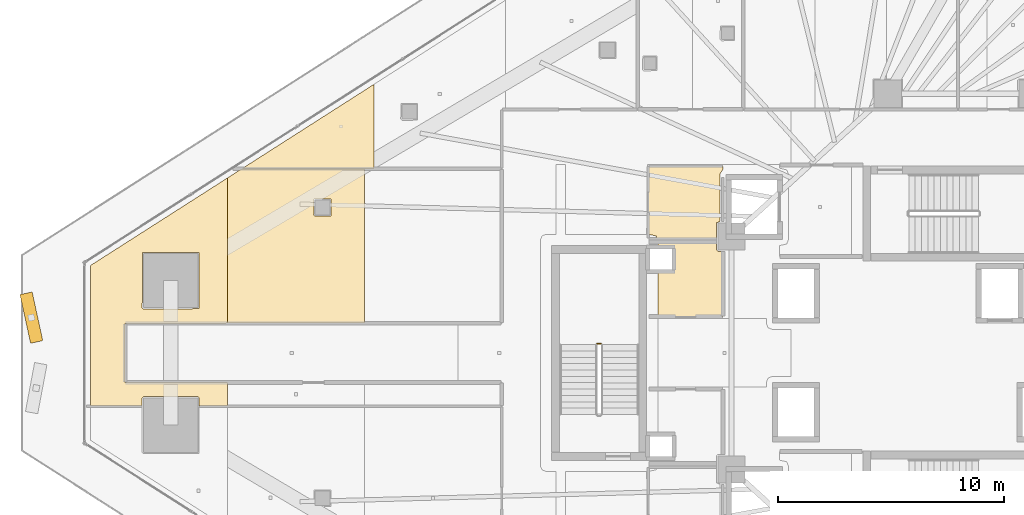
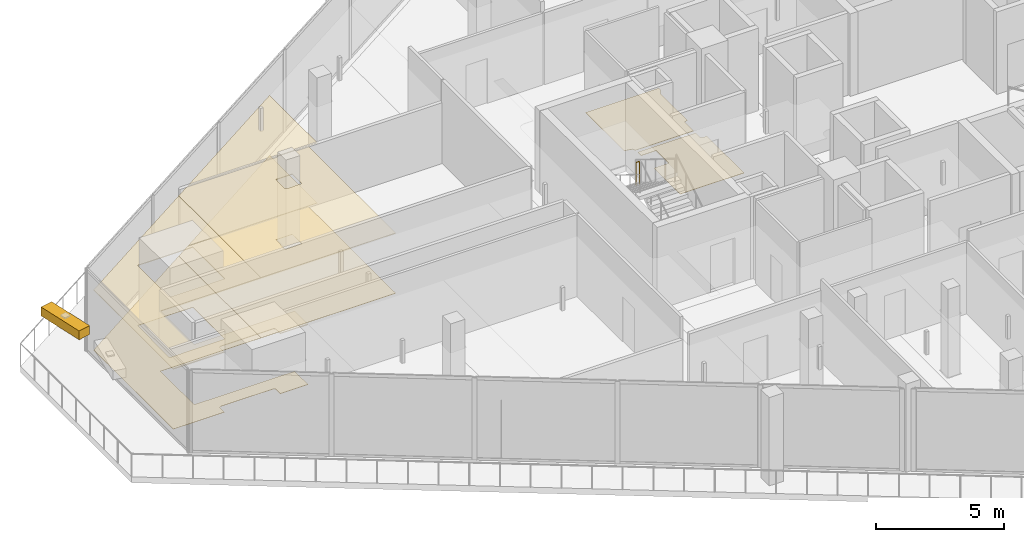
# One storey, part 45 of 47: 8 coverings, 1 railing, 1 shading device.
"""IFC4 building model written with IfcOpenShell, lengths in metres."""

from ifc_helpers import new_model, si_unit, direction, frame, origin, origin_2d, place, context, subcontext, project, spatial, polyline, rectangle, circle, outline, extrude, material, layer, layer_set, type_object, element, save


model = new_model("IFC4")

# Units and contexts
model_context = context("Model", 3, precision=1e-05, world=origin(), true_north=direction((0.0, 1.0)))
body_context = subcontext(model_context, "Body", "Model", "MODEL_VIEW")
ifc_project = project(units=[si_unit("LENGTHUNIT", "METRE"), si_unit("AREAUNIT", "SQUARE_METRE"), si_unit("VOLUMEUNIT", "CUBIC_METRE"), si_unit("PLANEANGLEUNIT", "RADIAN"), si_unit("MASSUNIT", "GRAM", prefix="KILO")], contexts=[model_context])

# Site, building, storey
site_placement = place(None, origin())
site = spatial("IfcSite", under=ifc_project, at=site_placement, CompositionType="ELEMENT")
building_placement = place(site_placement, origin())
building = spatial("IfcBuilding", under=site, at=building_placement, Name="Qorvath Tower", CompositionType="ELEMENT")
storey_placement = place(building_placement, frame((0.0, 0.0, 82.800048828125)))
storey = spatial("IfcBuildingStorey", under=building, at=storey_placement, Name="L18", CompositionType="ELEMENT", Elevation=82.800048828125)

# Coverings
ifc_material_1 = material(Name="Acoustic mineral fibre ceiling tile", Category="gypsum")
ifc_layer_1 = layer(ifc_material_1, 0.030029296875)
ifc_layer_set_1 = layer_set([ifc_layer_1], Name="COV-CEIL")
covering_type_1 = type_object("IfcCoveringType", Name="COV-CEIL", PredefinedType="CEILING", material=ifc_layer_set_1)
covering_1_placement = place(storey_placement, frame((0.0, 0.0, 2.849853515625)))
element("IfcCovering", 1, at=covering_1_placement, inside=storey, type_object=covering_type_1, Name="L18 Suspended Acoustic Ceiling 041", PredefinedType="CEILING", context=body_context, shape_type="SweptSolid", body=[
    extrude(outline(polyline([(-52.780517578125, 1.309326171875), (-52.780517578125, 7.726806640625), (-58.83935546875, 3.8544921875), (-58.83935546875, -2.3466796875), (-56.54296875, -2.3466796875), (-56.54296875, -1.994384765625), (-56.48291015625, -1.9345703125), (-54.0830078125, -1.9345703125), (-54.02294921875, -1.994384765625), (-54.02294921875, -2.3466796875), (-52.780517578125, -2.3466796875), (-52.780517578125, -1.31298828125), (-57.302490234375, -1.31298828125), (-57.307373046875, 1.30810546875), (-52.780517578125, 1.309326171875)]), holes=[polyline([(-56.54296875, 1.994384765625), (-56.525390625, 4.43701171875), (-54.04052734375, 4.43701171875), (-54.04052734375, 1.9521484375), (-56.48291015625, 1.9345703125), (-56.54296875, 1.994384765625)])]), origin(), (0.0, 0.0, 1.0), 0.030029296875),
])
covering_2_placement = place(storey_placement, frame((0.0, 0.0, 2.849853515625)))
element("IfcCovering", 2, at=covering_2_placement, inside=storey, type_object=covering_type_1, Name="L18 Suspended Acoustic Ceiling 042", PredefinedType="CEILING", context=body_context, shape_type="SweptSolid", body=[
    extrude(outline(polyline([(-46.7216796875, 1.311279296875), (-46.7216796875, 8.12939453125), (-52.15087890625, 8.12939453125), (-52.780517578125, 7.726806640625), (-52.780517578125, 1.309326171875), (-46.7216796875, 1.311279296875)]), holes=[polyline([(-48.96337890625, 6.099609375), (-48.94580078125, 6.7919921875), (-48.2109375, 6.7919921875), (-48.2109375, 6.05712890625), (-48.9033203125, 6.03955078125), (-48.96337890625, 6.099609375)])]), origin(), (0.0, 0.0, 1.0), 0.030029296875),
])
covering_3_placement = place(storey_placement, frame((0.0, 0.0, 2.849853515625)))
element("IfcCovering", 3, at=covering_3_placement, inside=storey, type_object=covering_type_1, Name="L18 Suspended Acoustic Ceiling 044", PredefinedType="CEILING", context=body_context, shape_type="SweptSolid", body=[
    extrude(outline(polyline([(-46.302978515625, 8.147216796875), (-46.302978515625, 11.866943359375), (-52.122802734375, 8.147216796875), (-46.302978515625, 8.147216796875)])), origin(), (0.0, 0.0, 1.0), 0.030029296875),
])
ifc_material_2 = material(Name="Low-VOC modular carpet tile", Category="textile")
ifc_layer_2 = layer(ifc_material_2, 0.014892578125)
ifc_layer_set_2 = layer_set([ifc_layer_2], Name="COV-FLOOR-CPT")
covering_type_2 = type_object("IfcCoveringType", Name="COV-FLOOR-CPT", PredefinedType="FLOORING", material=ifc_layer_set_2)
covering_4_placement = place(storey_placement, origin())
element("IfcCovering", 4, at=covering_4_placement, inside=storey, type_object=covering_type_2, Name="L18 Floor Finish 004", PredefinedType="FLOORING", context=body_context, shape_type="SweptSolid", body=[
    extrude(outline(polyline([(-31.159912109375, 4.89501953125), (-33.760009765625, 4.89501953125), (-33.760009765625, 4.633056640625), (-33.08837890625, 4.631591796875), (-33.0869140625, 3.64208984375), (-33.760009765625, 3.636962890625), (-33.760009765625, 1.60498046875), (-30.885009765625, 1.60498046875), (-30.885009765625, 4.489990234375), (-31.10009765625, 4.489990234375), (-31.159912109375, 4.550048828125), (-31.159912109375, 4.89501953125)])), origin(), (0.0, 0.0, 1.0), 0.014892578125),
])
covering_5_placement = place(storey_placement, origin())
element("IfcCovering", 5, at=covering_5_placement, inside=storey, type_object=covering_type_2, Name="L18 Floor Finish 041", PredefinedType="FLOORING", context=body_context, shape_type="SweptSolid", body=[
    extrude(outline(polyline([(-52.780517578125, 1.309326171875), (-52.780517578125, 7.726806640625), (-58.83935546875, 3.8544921875), (-58.83935546875, -2.3466796875), (-56.54296875, -2.3466796875), (-56.54296875, -1.994384765625), (-56.48291015625, -1.9345703125), (-54.0830078125, -1.9345703125), (-54.02294921875, -1.994384765625), (-54.02294921875, -2.3466796875), (-52.780517578125, -2.3466796875), (-52.780517578125, -1.31298828125), (-57.302490234375, -1.31298828125), (-57.307373046875, 1.30810546875), (-52.780517578125, 1.309326171875)]), holes=[polyline([(-56.54296875, 1.994384765625), (-56.525390625, 4.43701171875), (-54.04052734375, 4.43701171875), (-54.04052734375, 1.9521484375), (-56.48291015625, 1.9345703125), (-56.54296875, 1.994384765625)])]), origin(), (0.0, 0.0, 1.0), 0.014892578125),
])
covering_6_placement = place(storey_placement, origin())
element("IfcCovering", 6, at=covering_6_placement, inside=storey, type_object=covering_type_2, Name="L18 Floor Finish 042", PredefinedType="FLOORING", context=body_context, shape_type="SweptSolid", body=[
    extrude(outline(polyline([(-46.7216796875, 1.311279296875), (-46.7216796875, 8.12939453125), (-52.15087890625, 8.12939453125), (-52.780517578125, 7.726806640625), (-52.780517578125, 1.309326171875), (-46.7216796875, 1.311279296875)]), holes=[polyline([(-48.96337890625, 6.099609375), (-48.94580078125, 6.7919921875), (-48.2109375, 6.7919921875), (-48.2109375, 6.05712890625), (-48.9033203125, 6.03955078125), (-48.96337890625, 6.099609375)])]), origin(), (0.0, 0.0, 1.0), 0.014892578125),
])
covering_7_placement = place(storey_placement, origin())
element("IfcCovering", 7, at=covering_7_placement, inside=storey, type_object=covering_type_2, Name="L18 Floor Finish 044", PredefinedType="FLOORING", context=body_context, shape_type="SweptSolid", body=[
    extrude(outline(polyline([(-46.302978515625, 8.147216796875), (-46.302978515625, 11.866943359375), (-52.122802734375, 8.147216796875), (-46.302978515625, 8.147216796875)])), origin(), (0.0, 0.0, 1.0), 0.014892578125),
])
ifc_material_3 = material(Name="Polished epoxy terrazzo flooring", Category="concrete")
ifc_layer_3 = layer(ifc_material_3, 0.02001953125)
ifc_layer_set_3 = layer_set([ifc_layer_3], Name="COV-FLOOR-TRZ")
covering_type_3 = type_object("IfcCoveringType", Name="COV-FLOOR-TRZ", PredefinedType="FLOORING", material=ifc_layer_set_3)
covering_8_placement = place(storey_placement, origin())
element("IfcCovering", 8, at=covering_8_placement, inside=storey, type_object=covering_type_3, Name="L18 Floor Finish 003", PredefinedType="FLOORING", context=body_context, shape_type="SweptSolid", body=[
    extrude(outline(polyline([(-31.010009765625, 7.909912109375), (-30.885009765625, 8.108154296875), (-30.885009765625, 8.2451171875), (-34.175048828125, 8.2451171875), (-34.175048828125, 5.239990234375), (-33.833251953125, 5.166748046875), (-33.786865234375, 5.054931640625), (-31.159912109375, 5.054931640625), (-31.159912109375, 5.75), (-31.010009765625, 5.81005859375), (-31.010009765625, 7.909912109375)])), origin(), (0.0, 0.0, 1.0), 0.014892578125),
])

# Railing
ifc_material_4 = material(Name="Painted galvanised steel", Category="steel")
railing_type = type_object("IfcRailingType", Name="RL-STR-GRD", PredefinedType="GUARDRAIL", material=ifc_material_4)
railing_placement = place(storey_placement, frame((-36.280029296875, 0.409912109375, 2.099853515625)))
element("IfcRailing", 9, at=railing_placement, inside=storey, type_object=railing_type, Name="L18 TS3 stair guard 2", PredefinedType="GUARDRAIL", context=body_context, shape_type="SweptSolid", body=[
    extrude(circle(Radius=0.02392578125, at=origin_2d()), frame((0.0, 0.0, 1.076171875), z_axis=(-1.0, 0.0, 0.0), x_axis=(0.0, -1.0, 0.0)), (0.0, 0.0, 1.0), 0.14990234375),
    extrude(circle(Radius=0.02099609375, at=origin_2d()), origin(), (0.0, 0.0, 1.0), 1.052001953125),
    extrude(circle(Radius=0.02099609375, at=origin_2d()), frame((-0.14990234375, 0.0, 0.0)), (0.0, 0.0, 1.0), 1.052001953125),
])

# Shading device
ifc_material_5 = material(Name="Anodised bronze-champagne aluminium", Category="aluminium")
shading_device_type = type_object("IfcShadingDeviceType", Name="SD-LOUVRE", PredefinedType="JALOUSIE", material=ifc_material_5)
shading_device_placement = place(storey_placement, frame((-61.44091796875, 1.557861328125, 3.5), z_axis=(0.0, 0.0, 1.0), x_axis=(0.212743892396, -0.977107996205, 0.0)))
element("IfcShadingDevice", 10, at=shading_device_placement, inside=storey, type_object=shading_device_type, Name="Sinusoidal Wave Louvre Blade L18-01", PredefinedType="NOTDEFINED", context=body_context, shape_type="SweptSolid", body=[
    extrude(rectangle(XDim=2.199951171875, YDim=0.550048828125, at=origin_2d()), origin(), (0.0, 0.0, 1.0), 0.419921875),
])

save(model, "model.ifc")
